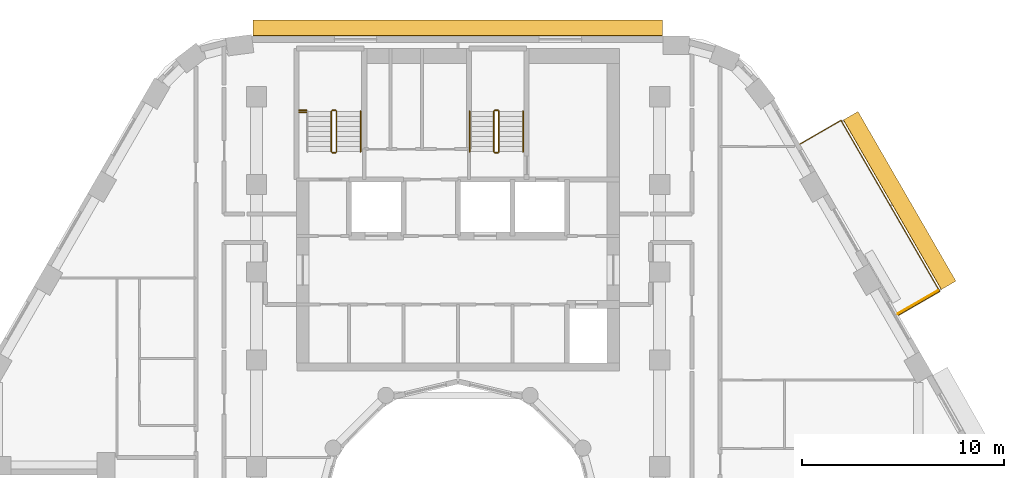
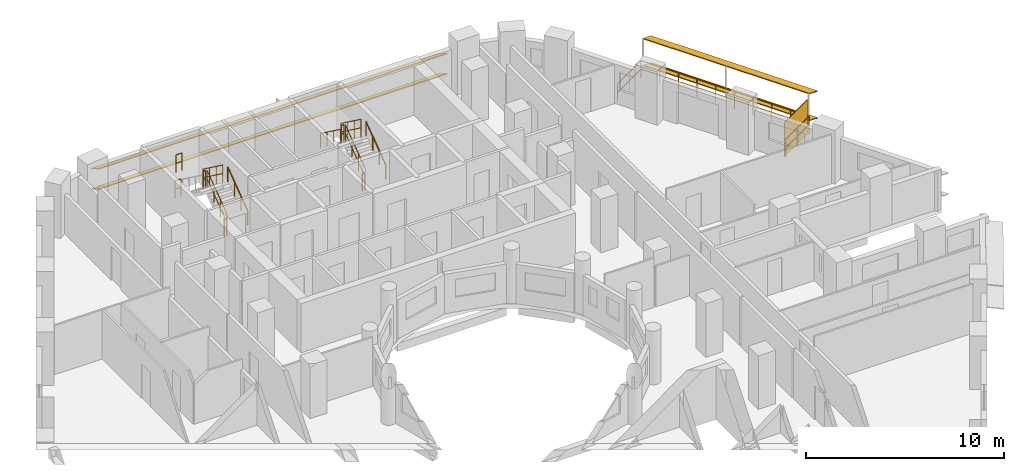
# One storey, part 14 of 14: 14 railings, 5 shading devices.
"""IFC4 building model written with IfcOpenShell, lengths in metres."""

import ifcopenshell
import ifcopenshell.guid

model = None  # the IFC model being written
_history = None  # IfcOwnerHistory: only IFC2X3 demands one
_inside = {}  # id of a spatial element -> (the spatial element, [elements in it])
_under = {}  # id of a project, library or spatial element -> (it, [spatial elements below it])
_declared = {}  # id of a project -> (the project, [libraries it declares])
_typed = {}  # id of a type object -> (the type object, [elements of that type])
_made_of = {}  # id of a material, layer set ... -> (it, [elements and type objects made of it])


def new_model(schema):
    """Start an empty IFC model of exactly this schema.

    Asked for "IFC4X3", IfcOpenShell would pick the latest addendum, in which some entities
    have other attributes; the version numbers below select the first issue.
    IFC2X3 requires an IfcOwnerHistory on every rooted entity: one is made here for all.
    """
    global model, _history
    if schema == "IFC4X3":
        model = ifcopenshell.file(schema_version=(4, 3, 0, 0))
    else:
        model = ifcopenshell.file(schema=schema)
    _inside.clear()
    _under.clear()
    _declared.clear()
    _typed.clear()
    _made_of.clear()
    _history = None
    if model.schema == "IFC2X3":
        org = make("IfcOrganization", Name="unknown")
        user = make(
            "IfcPersonAndOrganization",
            ThePerson=make("IfcPerson", FamilyName="unknown"),
            TheOrganization=org,
        )
        app = make(
            "IfcApplication",
            ApplicationDeveloper=org,
            Version="unknown",
            ApplicationFullName="unknown",
            ApplicationIdentifier="unknown",
        )
        _history = make(
            "IfcOwnerHistory",
            OwningUser=user,
            OwningApplication=app,
            ChangeAction="ADDED",
            CreationDate=0,
        )
    return model


def make(cls, **values):
    """One entity of the class cls with the attributes given. An attribute that is None is left unset."""
    return model.create_entity(
        cls, **{name: value for name, value in values.items() if value is not None}
    )


def rooted(cls, **values):
    """An entity with a GlobalId (a new one), such as an element, a storey or a relation."""
    return make(cls, GlobalId=ifcopenshell.guid.new(), OwnerHistory=_history, **values)


def si_unit(unit_type, name, prefix=None):
    """IfcSIUnit, for example si_unit("LENGTHUNIT", "METRE", prefix="MILLI")."""
    return make("IfcSIUnit", UnitType=unit_type, Prefix=prefix, Name=name)


def assignment(units):
    """IfcUnitAssignment: the units of a project."""
    return None if units is None else make("IfcUnitAssignment", Units=units)


def point(xyz):
    """IfcCartesianPoint."""
    return None if xyz is None else make("IfcCartesianPoint", Coordinates=xyz)


def direction(xyz):
    """IfcDirection."""
    return None if xyz is None else make("IfcDirection", DirectionRatios=xyz)


def frame(location, z_axis=None, x_axis=None):
    """IfcAxis2Placement3D, a coordinate frame: its origin and axes. An axis left out is left unset."""
    return make(
        "IfcAxis2Placement3D",
        Location=point(location),
        Axis=direction(z_axis),
        RefDirection=direction(x_axis),
    )


def frame_2d(location, x_axis=None):
    """IfcAxis2Placement2D, a coordinate frame in the plane: its origin and x axis."""
    return make(
        "IfcAxis2Placement2D", Location=point(location), RefDirection=direction(x_axis)
    )


def origin():
    """The frame at (0, 0, 0) with its axes left unset."""
    return frame((0.0, 0.0, 0.0))


def origin_2d():
    """The frame at (0, 0) in the plane with its x axis left unset."""
    return frame_2d((0.0, 0.0))


def place(relative_to, where):
    """IfcLocalPlacement: puts the frame where relative to a parent placement (None: the world)."""
    return make(
        "IfcLocalPlacement", PlacementRelTo=relative_to, RelativePlacement=where
    )


def context(
    kind, dimensions, precision=None, world=None, true_north=None, identifier=None
):
    """IfcGeometricRepresentationContext, for example the 3D "Model" context."""
    return make(
        "IfcGeometricRepresentationContext",
        ContextIdentifier=identifier,
        ContextType=kind,
        CoordinateSpaceDimension=dimensions,
        Precision=precision,
        WorldCoordinateSystem=world,
        TrueNorth=true_north,
    )


def subcontext(parent, identifier, kind, view, scale=None):
    """IfcGeometricRepresentationSubContext, for example "Body" below "Model"."""
    return make(
        "IfcGeometricRepresentationSubContext",
        ContextIdentifier=identifier,
        ContextType=kind,
        ParentContext=parent,
        TargetScale=scale,
        TargetView=view,
    )


def project(units=None, contexts=None):
    """IfcProject with its units and contexts."""
    return rooted(
        "IfcProject",
        Name="project",
        RepresentationContexts=contexts,
        UnitsInContext=assignment(units),
    )


def spatial(cls, under=None, at=None, **own):
    """A site, building, storey or space (cls), placed at a placement, below another one or the project."""
    s = rooted(cls, ObjectPlacement=at, **own)
    if under is not None:
        _under.setdefault(under.id(), (under, []))[1].append(s)
    return s


def profile(cls, at=None, kind="AREA", **sizes):
    """A parametric profile (cls). Its sizes go by their IFC names, for example OverallWidth=200.0."""
    return make(cls, ProfileType=kind, Position=at, **sizes)


def rectangle(**sizes):
    """IfcRectangleProfileDef."""
    return profile("IfcRectangleProfileDef", **sizes)


def circle(**sizes):
    """IfcCircleProfileDef."""
    return profile("IfcCircleProfileDef", **sizes)


def extrude(swept, where, along, depth):
    """IfcExtrudedAreaSolid: the profile swept, set in the frame where, extruded along a direction by depth."""
    return make(
        "IfcExtrudedAreaSolid",
        SweptArea=swept,
        Position=where,
        ExtrudedDirection=direction(along),
        Depth=depth,
    )


def shape(context_of_items, identifier, shape_type, items):
    """IfcShapeRepresentation: the items that make up one representation, for example the "Body"."""
    return make(
        "IfcShapeRepresentation",
        ContextOfItems=context_of_items,
        RepresentationIdentifier=identifier,
        RepresentationType=shape_type,
        Items=items,
    )


def material(Name=None, Category=None):
    """IfcMaterial."""
    return make("IfcMaterial", Name=Name, Category=Category)


def layer(
    of_material, thickness, ventilated=None, Name=None, Category=None, Priority=None
):
    """IfcMaterialLayer: one layer of a wall or slab, of a material (None: an air gap)."""
    return make(
        "IfcMaterialLayer",
        Material=of_material,
        LayerThickness=thickness,
        IsVentilated=ventilated,
        Name=Name,
        Category=Category,
        Priority=Priority,
    )


def layer_set(layers, Name=None):
    """IfcMaterialLayerSet."""
    return make("IfcMaterialLayerSet", MaterialLayers=layers, LayerSetName=Name)


def material_profile(
    of_material, cross_section, Name=None, Category=None, Priority=None
):
    """IfcMaterialProfile: a cross section and its material."""
    return make(
        "IfcMaterialProfile",
        Name=Name,
        Material=of_material,
        Profile=cross_section,
        Priority=Priority,
        Category=Category,
    )


def profile_set(profiles, Name=None, composite=None):
    """IfcMaterialProfileSet."""
    return make(
        "IfcMaterialProfileSet",
        Name=Name,
        MaterialProfiles=profiles,
        CompositeProfile=composite,
    )


def made_of(thing, what):
    """Note that an element or type object is made of a material, layer set ...; save() writes the relation."""
    if what is not None:
        _made_of.setdefault(what.id(), (what, []))[1].append(thing)
    return thing


def type_object(cls, material=None, **own):
    """A type object (cls), such as IfcWallType, which elements share."""
    return made_of(rooted(cls, **own), material)


def element(
    cls,
    number,
    at=None,
    inside=None,
    cuts=None,
    type_object=None,
    material=None,
    context=None,
    identifier="Body",
    shape_type=None,
    held_by="IfcProductDefinitionShape",
    body=None,
    shapes=None,
    **own,
):
    """One element of the class cls, such as IfcWall. Its Tag is "e" and its number.

    at: its placement. inside: the storey or other place that contains it. cuts: it is an
    opening in that element (IfcRelVoidsElement). A single representation is given by context,
    identifier, shape_type and body (its items); several are given by shapes. held_by: the class
    of the entity that holds the representations. save() writes the other relations.
    """
    e = rooted(cls, Tag="e%d" % number, ObjectPlacement=at, **own)
    if body is not None:
        shapes = [shape(context, identifier, shape_type, body)]
    if shapes is not None:
        e.Representation = make(held_by, Representations=shapes)
    if inside is not None:
        _inside.setdefault(inside.id(), (inside, []))[1].append(e)
    if cuts is not None:
        rooted(
            "IfcRelVoidsElement", RelatingBuildingElement=cuts, RelatedOpeningElement=e
        )
    if type_object is not None:
        _typed.setdefault(type_object.id(), (type_object, []))[1].append(e)
    return made_of(e, material)


def aggregate(whole, parts):
    """IfcRelAggregates: a whole, such as a stair, and the parts it consists of."""
    return rooted("IfcRelAggregates", RelatingObject=whole, RelatedObjects=parts)


def save(model, path):
    """Write the relations noted so far, then the file.

    IfcRelAggregates (storeys below a building ...), IfcRelContainedInSpatialStructure (elements
    in a storey), IfcRelDefinesByType, IfcRelAssociatesMaterial and IfcRelDeclares: one each for
    every whole, place, type object, material and project.
    """
    for whole, parts in _under.values():
        aggregate(whole, parts)
    for where, things in _inside.values():
        rooted(
            "IfcRelContainedInSpatialStructure",
            RelatedElements=things,
            RelatingStructure=where,
        )
    for kind, things in _typed.values():
        rooted("IfcRelDefinesByType", RelatedObjects=things, RelatingType=kind)
    for what, things in _made_of.values():
        rooted("IfcRelAssociatesMaterial", RelatedObjects=things, RelatingMaterial=what)
    for by, libraries in _declared.values():
        rooted("IfcRelDeclares", RelatingContext=by, RelatedDefinitions=libraries)
    model.write(path)


model = new_model("IFC4")

# Units and contexts
model_context = context("Model", 3, precision=1e-05, world=origin(), true_north=direction((0.0, 1.0)))
body_context = subcontext(model_context, "Body", "Model", "MODEL_VIEW")
ifc_project = project(units=[si_unit("LENGTHUNIT", "METRE"), si_unit("AREAUNIT", "SQUARE_METRE"), si_unit("VOLUMEUNIT", "CUBIC_METRE"), si_unit("PLANEANGLEUNIT", "RADIAN"), si_unit("MASSUNIT", "GRAM", prefix="KILO")], contexts=[model_context])

# Site, building, storey
site_placement = place(None, origin())
site = spatial("IfcSite", under=ifc_project, at=site_placement, CompositionType="ELEMENT")
building_placement = place(site_placement, origin())
building = spatial("IfcBuilding", under=site, at=building_placement, Name="Nakaniwa Court", CompositionType="ELEMENT")
storey_placement = place(building_placement, frame((0.0, 0.0, 163.5)))
storey = spatial("IfcBuildingStorey", under=building, at=storey_placement, Name="L43", CompositionType="ELEMENT", Elevation=163.5)

# Railing
ifc_material_1 = material(Name="Black powder-coated steel flat bar balustrade S275", Category="steel")
railing_type_1 = type_object("IfcRailingType", Name="Black metal balcony guard 1100", PredefinedType="GUARDRAIL", material=ifc_material_1)
railing_1_placement = place(storey_placement, frame((101.84326171875, 90.16650390625, -0.050048828125)))
element("IfcRailing", 1, at=railing_1_placement, inside=storey, type_object=railing_type_1, Name="L43 balcony guard 01", PredefinedType="GUARDRAIL", context=body_context, shape_type="SweptSolid", body=[
    extrude(circle(Radius=0.02392578125, at=origin_2d()), frame((0.0, 0.0, 1.076171875), z_axis=(0.865980564943, 0.500077655111, 0.0), x_axis=(-0.500077655111, 0.865980564943, 0.0)), (0.0, 0.0, 1.0), 2.35986328125),
    extrude(circle(Radius=0.02392578125, at=origin_2d()), frame((0.0, 0.0, 0.550048828125), z_axis=(0.865980564943, 0.500077655111, 0.0), x_axis=(-0.500077655111, 0.865980564943, 0.0)), (0.0, 0.0, 1.0), 2.35986328125),
    extrude(circle(Radius=0.02392578125, at=origin_2d()), frame((2.043701171875, 1.18017578125, 1.076171875), z_axis=(-0.500011691413, 0.866018653639, 0.0), x_axis=(-0.866018653639, -0.500011691413, 0.0)), (0.0, 0.0, 1.0), 9.790771484375),
    extrude(circle(Radius=0.02392578125, at=origin_2d()), frame((2.043701171875, 1.18017578125, 0.550048828125), z_axis=(-0.500011691413, 0.866018653639, 0.0), x_axis=(-0.866018653639, -0.500011691413, 0.0)), (0.0, 0.0, 1.0), 9.790771484375),
    extrude(circle(Radius=0.02392578125, at=origin_2d()), frame((-2.851806640625, 9.6591796875, 1.076171875), z_axis=(-0.866025363618, -0.50000006957, 0.0), x_axis=(0.50000006957, -0.866025363618, 0.0)), (0.0, 0.0, 1.0), 2.35986328125),
    extrude(circle(Radius=0.02392578125, at=origin_2d()), frame((-2.851806640625, 9.6591796875, 0.550048828125), z_axis=(-0.866025363618, -0.50000006957, 0.0), x_axis=(0.50000006957, -0.866025363618, 0.0)), (0.0, 0.0, 1.0), 2.35986328125),
    extrude(circle(Radius=0.02099609375, at=origin_2d()), origin(), (0.0, 0.0, 1.0), 1.052001953125),
    extrude(circle(Radius=0.02099609375, at=origin_2d()), frame((1.02197265625, 0.590087890625, 0.0)), (0.0, 0.0, 1.0), 1.052001953125),
    extrude(circle(Radius=0.02099609375, at=origin_2d()), frame((2.043701171875, 1.18017578125, 0.0)), (0.0, 0.0, 1.0), 1.052001953125),
    extrude(circle(Radius=0.02099609375, at=origin_2d()), frame((1.499755859375, 2.122314453125, 0.0)), (0.0, 0.0, 1.0), 1.052001953125),
    extrude(circle(Radius=0.02099609375, at=origin_2d()), frame((0.955810546875, 3.064453125, 0.0)), (0.0, 0.0, 1.0), 1.052001953125),
    extrude(circle(Radius=0.02099609375, at=origin_2d()), frame((0.411865234375, 4.006591796875, 0.0)), (0.0, 0.0, 1.0), 1.052001953125),
    extrude(circle(Radius=0.02099609375, at=origin_2d()), frame((-0.132080078125, 4.94873046875, 0.0)), (0.0, 0.0, 1.0), 1.052001953125),
    extrude(circle(Radius=0.02099609375, at=origin_2d()), frame((-0.676025390625, 5.890625, 0.0)), (0.0, 0.0, 1.0), 1.052001953125),
    extrude(circle(Radius=0.02099609375, at=origin_2d()), frame((-1.219970703125, 6.832763671875, 0.0)), (0.0, 0.0, 1.0), 1.052001953125),
    extrude(circle(Radius=0.02099609375, at=origin_2d()), frame((-1.763916015625, 7.77490234375, 0.0)), (0.0, 0.0, 1.0), 1.052001953125),
    extrude(circle(Radius=0.02099609375, at=origin_2d()), frame((-2.307861328125, 8.717041015625, 0.0)), (0.0, 0.0, 1.0), 1.052001953125),
    extrude(circle(Radius=0.02099609375, at=origin_2d()), frame((-2.851806640625, 9.6591796875, 0.0)), (0.0, 0.0, 1.0), 1.052001953125),
    extrude(circle(Radius=0.02099609375, at=origin_2d()), frame((-3.87353515625, 9.0693359375, 0.0)), (0.0, 0.0, 1.0), 1.052001953125),
    extrude(circle(Radius=0.02099609375, at=origin_2d()), frame((-4.8955078125, 8.479248046875, 0.0)), (0.0, 0.0, 1.0), 1.052001953125),
])

# Shading devices
ifc_material_2 = material(Name="Black powder-coated aluminium slat screen", Category="aluminium")
ifc_layer = layer(ifc_material_2, 0.0400390625)
ifc_layer_set = layer_set([ifc_layer], Name="Black powder-coated aluminium slat screen")
shading_device_type_1 = type_object("IfcShadingDeviceType", Name="Koshi screen black metal", PredefinedType="USERDEFINED", material=ifc_layer_set)
shading_device_placement = place(storey_placement, frame((102.803466796875, 90.813232421875, -0.050048828125), z_axis=(0.0, 0.0, 1.0), x_axis=(-0.500004534492, 0.866022785779, 0.0)))
element("IfcShadingDevice", 2, at=shading_device_placement, inside=storey, type_object=shading_device_type_1, Name="L43 balcony SCREEN 01 W", ObjectType="KOSHI SCREEN", PredefinedType="USERDEFINED", context=body_context, shape_type="SweptSolid", body=[
    extrude(rectangle(XDim=0.0400390625, YDim=2.31005859375, at=origin_2d()), origin(), (0.0, 0.0, 1.0), 2.10009765625),
])
ifc_material_3 = material(Name="Perforated charcoal ceramic louvre blade")
ifc_material_profile = material_profile(ifc_material_3, rectangle(XDim=0.89990234375, YDim=0.050048828125, at=origin_2d()), Name="Perforated ceramic louvre blade")
ifc_profile_set = profile_set([ifc_material_profile], Name="Perforated charcoal ceramic louvre blade")
shading_device_type_2 = type_object("IfcShadingDeviceType", Name="Perforated ceramic louvre blade", PredefinedType="JALOUSIE", material=ifc_profile_set)
for number, where, z_axis, x_axis, name in (
    (3, (104.322021484375, 91.643798828125, 0.5), (-0.500019143301, 0.866014351113, 0.0), (-0.800092933854, -0.461957452359, 0.382683432365), "L43 perforated ceramic louvre blade 01 1"),
    (4, (104.322021484375, 91.643798828125, 2.14990234375), (-0.500019143301, 0.866014351113, 0.0), (-0.800092933854, -0.461957452359, 0.382683432365), "L43 perforated ceramic louvre blade 01 2"),
):
    element("IfcShadingDevice", number, at=place(storey_placement, frame(where, z_axis=z_axis, x_axis=x_axis)), inside=storey, type_object=shading_device_type_2, Name=name, PredefinedType="JALOUSIE", context=body_context, shape_type="SweptSolid", body=[
        extrude(rectangle(XDim=0.89990234375, YDim=0.050048828125, at=origin_2d()), origin(), (0.0, 0.0, 1.0), 9.7109375),
    ])
for number, where, z_axis, x_axis, name in (
    (5, (90.128662109375, 104.402099609375, 0.550048828125), (-1.0, 0.0, 0.0), (0.0, -0.866025403784, 0.5), "L43 perforated ceramic louvre blade w08 1"),
    (6, (90.128662109375, 104.402099609375, 1.793212890625), (-1.0, 0.0, 0.0), (0.0, -0.866025403784, 0.5), "L43 perforated ceramic louvre blade w08 2"),
):
    element("IfcShadingDevice", number, at=place(storey_placement, frame(where, z_axis=z_axis, x_axis=x_axis)), inside=storey, type_object=shading_device_type_2, Name=name, PredefinedType="JALOUSIE", context=body_context, shape_type="SweptSolid", body=[
        extrude(rectangle(XDim=0.89990234375, YDim=0.050048828125, at=origin_2d()), origin(), (0.0, 0.0, 1.0), 20.291259765625),
    ])

# Railings
ifc_material_4 = material(Name="Black powder coated steel guard", Category="steel")
railing_type_2 = type_object("IfcRailingType", Name="Stair guard 1100", PredefinedType="GUARDRAIL", material=ifc_material_4)
railing_2_placement = place(storey_placement, frame((73.97509765625, 98.27490234375, 0.183349609375)))
element("IfcRailing", 7, at=railing_2_placement, inside=storey, type_object=railing_type_2, Name="L43 ST1 stair guard 1", PredefinedType="GUARDRAIL", context=body_context, shape_type="SweptSolid", body=[
    extrude(circle(Radius=0.02392578125, at=origin_2d()), frame((0.0, 0.0, 1.076171875), z_axis=(0.0, 0.806426902644, 0.591333789573), x_axis=(-1.0, 0.0, 0.0)), (0.0, 0.0, 1.0), 2.47998046875),
    extrude(circle(Radius=0.02392578125, at=origin_2d()), frame((0.0, 0.0, 0.550048828125), z_axis=(0.0, 0.806426902644, 0.591333789573), x_axis=(-1.0, 0.0, 0.0)), (0.0, 0.0, 1.0), 2.47998046875),
    extrude(circle(Radius=0.02099609375, at=origin_2d()), origin(), (0.0, 0.0, 1.0), 1.052001953125),
    extrude(circle(Radius=0.02099609375, at=origin_2d()), frame((0.0, 0.666748046875, 0.48876953125)), (0.0, 0.0, 1.0), 1.052001953125),
    extrude(circle(Radius=0.02099609375, at=origin_2d()), frame((0.0, 1.333251953125, 0.977783203125)), (0.0, 0.0, 1.0), 1.052001953125),
    extrude(circle(Radius=0.02099609375, at=origin_2d()), frame((0.0, 2.0, 1.466552734375)), (0.0, 0.0, 1.0), 1.052001953125),
])
railing_3_placement = place(storey_placement, frame((73.925048828125, 100.324951171875, 1.64990234375)))
element("IfcRailing", 8, at=railing_3_placement, inside=storey, type_object=railing_type_2, Name="L43 ST1 stair guard 2", PredefinedType="GUARDRAIL", context=body_context, shape_type="SweptSolid", body=[
    extrude(circle(Radius=0.02392578125, at=origin_2d()), frame((0.0, 0.0, 1.076171875), z_axis=(-1.0, 0.0, 0.0), x_axis=(0.0, -1.0, 0.0)), (0.0, 0.0, 1.0), 0.150146484375),
    extrude(circle(Radius=0.02392578125, at=origin_2d()), frame((0.0, 0.0, 0.550048828125), z_axis=(-1.0, 0.0, 0.0), x_axis=(0.0, -1.0, 0.0)), (0.0, 0.0, 1.0), 0.150146484375),
    extrude(circle(Radius=0.02099609375, at=origin_2d()), origin(), (0.0, 0.0, 1.0), 1.052001953125),
    extrude(circle(Radius=0.02099609375, at=origin_2d()), frame((-0.150146484375, 0.0, 0.0)), (0.0, 0.0, 1.0), 1.052001953125),
])
railing_4_placement = place(storey_placement, frame((73.72509765625, 100.27490234375, 1.833251953125)))
element("IfcRailing", 9, at=railing_4_placement, inside=storey, type_object=railing_type_2, Name="L43 ST1 stair guard 3", PredefinedType="GUARDRAIL", context=body_context, shape_type="SweptSolid", body=[
    extrude(circle(Radius=0.02392578125, at=origin_2d()), frame((0.0, 0.0, 1.076171875), z_axis=(0.0, -0.806379959628, 0.591397802423), x_axis=(1.0, 0.0, 0.0)), (0.0, 0.0, 1.0), 2.480224609375),
    extrude(circle(Radius=0.02392578125, at=origin_2d()), frame((0.0, 0.0, 0.550048828125), z_axis=(0.0, -0.806379959628, 0.591397802423), x_axis=(1.0, 0.0, 0.0)), (0.0, 0.0, 1.0), 2.480224609375),
    extrude(circle(Radius=0.02099609375, at=origin_2d()), origin(), (0.0, 0.0, 1.0), 1.052001953125),
    extrude(circle(Radius=0.02099609375, at=origin_2d()), frame((0.0, -0.666748046875, 0.489013671875)), (0.0, 0.0, 1.0), 1.052001953125),
    extrude(circle(Radius=0.02099609375, at=origin_2d()), frame((0.0, -1.333251953125, 0.977783203125)), (0.0, 0.0, 1.0), 1.052001953125),
    extrude(circle(Radius=0.02099609375, at=origin_2d()), frame((0.0, -2.0, 1.466796875)), (0.0, 0.0, 1.0), 1.052001953125),
])
railing_5_placement = place(storey_placement, frame((73.925048828125, 98.22509765625, 0.0)))
element("IfcRailing", 10, at=railing_5_placement, inside=storey, type_object=railing_type_2, Name="L43 ST1 stair guard 4", PredefinedType="GUARDRAIL", context=body_context, shape_type="SweptSolid", body=[
    extrude(circle(Radius=0.02392578125, at=origin_2d()), frame((0.0, 0.0, 1.076171875), z_axis=(-1.0, 0.0, 0.0), x_axis=(0.0, -1.0, 0.0)), (0.0, 0.0, 1.0), 0.150146484375),
    extrude(circle(Radius=0.02392578125, at=origin_2d()), frame((0.0, 0.0, 0.550048828125), z_axis=(-1.0, 0.0, 0.0), x_axis=(0.0, -1.0, 0.0)), (0.0, 0.0, 1.0), 0.150146484375),
    extrude(circle(Radius=0.02099609375, at=origin_2d()), origin(), (0.0, 0.0, 1.0), 1.052001953125),
    extrude(circle(Radius=0.02099609375, at=origin_2d()), frame((-0.150146484375, 0.0, 0.0)), (0.0, 0.0, 1.0), 1.052001953125),
])
for number, where, name in (
    (11, (72.125, 100.324951171875, 1.64990234375), "L43 ST1 landing side guard 1W"),
    (12, (72.125, 100.22509765625, 3.300048828125), "L43 ST1 floor edge guard 1W"),
):
    element("IfcRailing", number, at=place(storey_placement, frame(where)), inside=storey, type_object=railing_type_2, Name=name, PredefinedType="GUARDRAIL", context=body_context, shape_type="SweptSolid", body=[
        extrude(circle(Radius=0.02392578125, at=origin_2d()), frame((0.0, 0.0, 1.076171875), z_axis=(1.0, 0.0, 0.0), x_axis=(0.0, 1.0, 0.0)), (0.0, 0.0, 1.0), 0.35009765625),
        extrude(circle(Radius=0.02392578125, at=origin_2d()), frame((0.0, 0.0, 0.550048828125), z_axis=(1.0, 0.0, 0.0), x_axis=(0.0, 1.0, 0.0)), (0.0, 0.0, 1.0), 0.35009765625),
        extrude(circle(Radius=0.02099609375, at=origin_2d()), origin(), (0.0, 0.0, 1.0), 1.052001953125),
        extrude(circle(Radius=0.02099609375, at=origin_2d()), frame((0.35009765625, 0.0, 0.0)), (0.0, 0.0, 1.0), 1.052001953125),
    ])
railing_6_placement = place(storey_placement, frame((82.02490234375, 98.27490234375, 0.183349609375)))
element("IfcRailing", 13, at=railing_6_placement, inside=storey, type_object=railing_type_2, Name="L43 ST2 stair guard 1", PredefinedType="GUARDRAIL", context=body_context, shape_type="SweptSolid", body=[
    extrude(circle(Radius=0.02392578125, at=origin_2d()), frame((0.0, 0.0, 1.076171875), z_axis=(0.0, 0.806426902644, 0.591333789573), x_axis=(-1.0, 0.0, 0.0)), (0.0, 0.0, 1.0), 2.47998046875),
    extrude(circle(Radius=0.02392578125, at=origin_2d()), frame((0.0, 0.0, 0.550048828125), z_axis=(0.0, 0.806426902644, 0.591333789573), x_axis=(-1.0, 0.0, 0.0)), (0.0, 0.0, 1.0), 2.47998046875),
    extrude(circle(Radius=0.02099609375, at=origin_2d()), origin(), (0.0, 0.0, 1.0), 1.052001953125),
    extrude(circle(Radius=0.02099609375, at=origin_2d()), frame((0.0, 0.666748046875, 0.48876953125)), (0.0, 0.0, 1.0), 1.052001953125),
    extrude(circle(Radius=0.02099609375, at=origin_2d()), frame((0.0, 1.333251953125, 0.977783203125)), (0.0, 0.0, 1.0), 1.052001953125),
    extrude(circle(Radius=0.02099609375, at=origin_2d()), frame((0.0, 2.0, 1.466552734375)), (0.0, 0.0, 1.0), 1.052001953125),
])
railing_7_placement = place(storey_placement, frame((81.97509765625, 100.324951171875, 1.64990234375)))
element("IfcRailing", 14, at=railing_7_placement, inside=storey, type_object=railing_type_2, Name="L43 ST2 stair guard 2", PredefinedType="GUARDRAIL", context=body_context, shape_type="SweptSolid", body=[
    extrude(circle(Radius=0.02392578125, at=origin_2d()), frame((0.0, 0.0, 1.076171875), z_axis=(-1.0, 0.0, 0.0), x_axis=(0.0, -1.0, 0.0)), (0.0, 0.0, 1.0), 0.150146484375),
    extrude(circle(Radius=0.02392578125, at=origin_2d()), frame((0.0, 0.0, 0.550048828125), z_axis=(-1.0, 0.0, 0.0), x_axis=(0.0, -1.0, 0.0)), (0.0, 0.0, 1.0), 0.150146484375),
    extrude(circle(Radius=0.02099609375, at=origin_2d()), origin(), (0.0, 0.0, 1.0), 1.052001953125),
    extrude(circle(Radius=0.02099609375, at=origin_2d()), frame((-0.150146484375, 0.0, 0.0)), (0.0, 0.0, 1.0), 1.052001953125),
])
railing_8_placement = place(storey_placement, frame((81.77490234375, 100.27490234375, 1.833251953125)))
element("IfcRailing", 15, at=railing_8_placement, inside=storey, type_object=railing_type_2, Name="L43 ST2 stair guard 3", PredefinedType="GUARDRAIL", context=body_context, shape_type="SweptSolid", body=[
    extrude(circle(Radius=0.02392578125, at=origin_2d()), frame((0.0, 0.0, 1.076171875), z_axis=(0.0, -0.806379959628, 0.591397802423), x_axis=(1.0, 0.0, 0.0)), (0.0, 0.0, 1.0), 2.480224609375),
    extrude(circle(Radius=0.02392578125, at=origin_2d()), frame((0.0, 0.0, 0.550048828125), z_axis=(0.0, -0.806379959628, 0.591397802423), x_axis=(1.0, 0.0, 0.0)), (0.0, 0.0, 1.0), 2.480224609375),
    extrude(circle(Radius=0.02099609375, at=origin_2d()), origin(), (0.0, 0.0, 1.0), 1.052001953125),
    extrude(circle(Radius=0.02099609375, at=origin_2d()), frame((0.0, -0.666748046875, 0.489013671875)), (0.0, 0.0, 1.0), 1.052001953125),
    extrude(circle(Radius=0.02099609375, at=origin_2d()), frame((0.0, -1.333251953125, 0.977783203125)), (0.0, 0.0, 1.0), 1.052001953125),
    extrude(circle(Radius=0.02099609375, at=origin_2d()), frame((0.0, -2.0, 1.466796875)), (0.0, 0.0, 1.0), 1.052001953125),
])
railing_9_placement = place(storey_placement, frame((81.97509765625, 98.22509765625, 0.0)))
element("IfcRailing", 16, at=railing_9_placement, inside=storey, type_object=railing_type_2, Name="L43 ST2 stair guard 4", PredefinedType="GUARDRAIL", context=body_context, shape_type="SweptSolid", body=[
    extrude(circle(Radius=0.02392578125, at=origin_2d()), frame((0.0, 0.0, 1.076171875), z_axis=(-1.0, 0.0, 0.0), x_axis=(0.0, -1.0, 0.0)), (0.0, 0.0, 1.0), 0.150146484375),
    extrude(circle(Radius=0.02392578125, at=origin_2d()), frame((0.0, 0.0, 0.550048828125), z_axis=(-1.0, 0.0, 0.0), x_axis=(0.0, -1.0, 0.0)), (0.0, 0.0, 1.0), 0.150146484375),
    extrude(circle(Radius=0.02099609375, at=origin_2d()), origin(), (0.0, 0.0, 1.0), 1.052001953125),
    extrude(circle(Radius=0.02099609375, at=origin_2d()), frame((-0.150146484375, 0.0, 0.0)), (0.0, 0.0, 1.0), 1.052001953125),
])
ifc_material_5 = material(Name="Black powder coated steel handrail", Category="steel")
railing_type_3 = type_object("IfcRailingType", Name="Stair handrail 900", PredefinedType="HANDRAIL", material=ifc_material_5)
for number, where, name in (
    (17, (75.175048828125, 98.27490234375, 0.183349609375), "L43 ST1 stair handrail 1"),
    (18, (83.22509765625, 98.27490234375, 0.183349609375), "L43 ST2 stair handrail 1"),
):
    element("IfcRailing", number, at=place(storey_placement, frame(where)), inside=storey, type_object=railing_type_3, Name=name, PredefinedType="HANDRAIL", context=body_context, shape_type="SweptSolid", body=[
        extrude(circle(Radius=0.02392578125, at=origin_2d()), frame((0.0, 0.0, 0.8759765625), z_axis=(0.0, 0.806426902644, 0.591333789573), x_axis=(-1.0, 0.0, 0.0)), (0.0, 0.0, 1.0), 2.47998046875),
        extrude(circle(Radius=0.02099609375, at=origin_2d()), origin(), (0.0, 0.0, 1.0), 0.851806640625),
        extrude(circle(Radius=0.02099609375, at=origin_2d()), frame((0.0, 0.666748046875, 0.48876953125)), (0.0, 0.0, 1.0), 0.851806640625),
        extrude(circle(Radius=0.02099609375, at=origin_2d()), frame((0.0, 1.333251953125, 0.977783203125)), (0.0, 0.0, 1.0), 0.851806640625),
        extrude(circle(Radius=0.02099609375, at=origin_2d()), frame((0.0, 2.0, 1.466552734375)), (0.0, 0.0, 1.0), 0.851806640625),
    ])
railing_10_placement = place(storey_placement, frame((80.574951171875, 100.27490234375, 1.833251953125)))
element("IfcRailing", 19, at=railing_10_placement, inside=storey, type_object=railing_type_3, Name="L43 ST2 stair handrail 2", PredefinedType="HANDRAIL", context=body_context, shape_type="SweptSolid", body=[
    extrude(circle(Radius=0.02392578125, at=origin_2d()), frame((0.0, 0.0, 0.8759765625), z_axis=(0.0, -0.806379959628, 0.591397802423), x_axis=(1.0, 0.0, 0.0)), (0.0, 0.0, 1.0), 2.480224609375),
    extrude(circle(Radius=0.02099609375, at=origin_2d()), origin(), (0.0, 0.0, 1.0), 0.851806640625),
    extrude(circle(Radius=0.02099609375, at=origin_2d()), frame((0.0, -0.666748046875, 0.489013671875)), (0.0, 0.0, 1.0), 0.851806640625),
    extrude(circle(Radius=0.02099609375, at=origin_2d()), frame((0.0, -1.333251953125, 0.977783203125)), (0.0, 0.0, 1.0), 0.851806640625),
    extrude(circle(Radius=0.02099609375, at=origin_2d()), frame((0.0, -2.0, 1.466796875)), (0.0, 0.0, 1.0), 0.851806640625),
])

save(model, "model.ifc")
